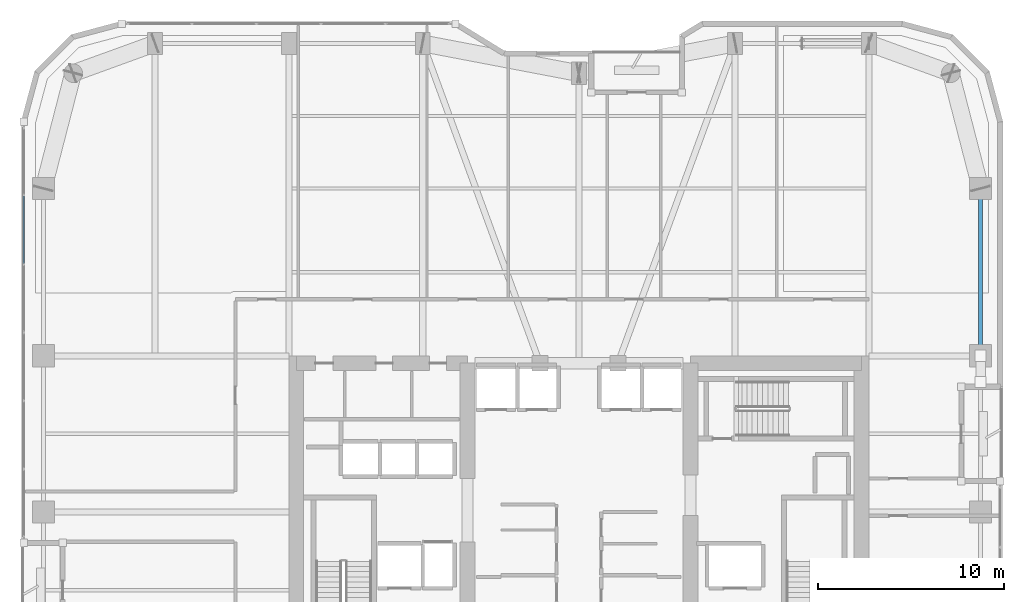
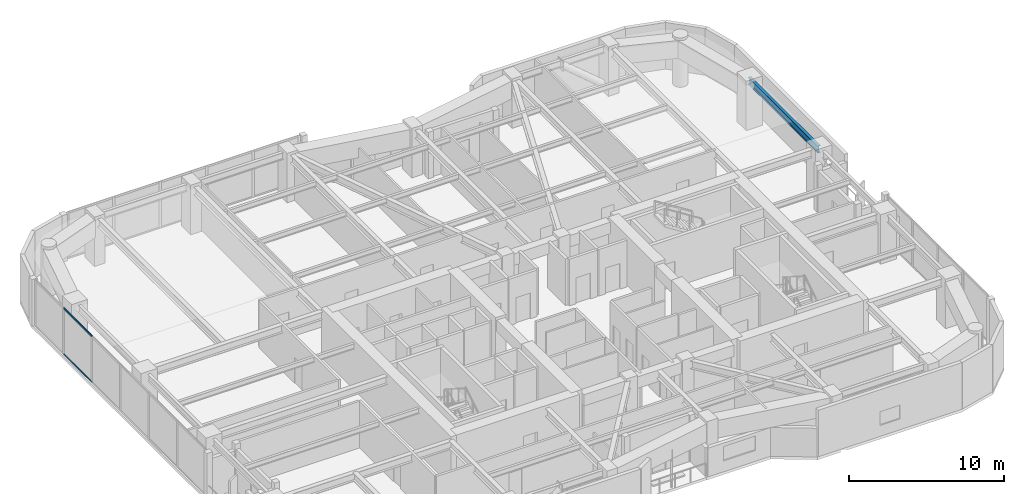
# One storey, part 12 of 30: 2 members, 1 beam, 1 element without a shape of its own.
"""IFC4 building model written with IfcOpenShell, lengths in metres."""

from ifc_helpers import new_model, si_unit, direction, frame, origin, origin_2d, place, context, subcontext, project, spatial, hollow_rectangle, i_section, extrude, material, layer, layer_set, material_profile, profile_set, type_object, element, aggregate, save


model = new_model("IFC4")

# Units and contexts
model_context = context("Model", 3, precision=1e-05, world=origin(), true_north=direction((0.0, 1.0)))
body_context = subcontext(model_context, "Body", "Model", "MODEL_VIEW")
ifc_project = project(units=[si_unit("LENGTHUNIT", "METRE"), si_unit("AREAUNIT", "SQUARE_METRE"), si_unit("VOLUMEUNIT", "CUBIC_METRE"), si_unit("PLANEANGLEUNIT", "RADIAN"), si_unit("MASSUNIT", "GRAM", prefix="KILO")], contexts=[model_context])

# Site, building, storey
site_placement = place(None, origin())
site = spatial("IfcSite", under=ifc_project, at=site_placement, CompositionType="ELEMENT")
building_placement = place(site_placement, origin())
building = spatial("IfcBuilding", under=site, at=building_placement, Name="Kiyonajd Concourse Tower", CompositionType="ELEMENT")
storey_placement = place(building_placement, frame((0.0, 0.0, 174.0)))
storey = spatial("IfcBuildingStorey", under=building, at=storey_placement, Name="L44", CompositionType="ELEMENT", Elevation=174.0)

# Beam
ifc_material_1 = material(Name="Steel ASTM A992 Grade 50", Category="steel")
ifc_material_profile_1 = material_profile(ifc_material_1, i_section(OverallWidth=0.214111328125, OverallDepth=0.549072265625, WebThickness=0.0146484375, FlangeThickness=0.023681640625, at=origin_2d()), Name="W530X138")
ifc_profile_set_1 = profile_set([ifc_material_profile_1], Name="Steel ASTM A992 Grade 50")
beam_type = type_object("IfcBeamType", Name="BM-SPAN-530A", PredefinedType="SPANDREL", material=ifc_profile_set_1)
beam_placement = place(storey_placement, frame((69.60009765625, 44.39990234375, 3.405517578125), z_axis=(0.0, 1.0, 0.0), x_axis=(-1.0, 0.0, 0.0)))
element("IfcBeam", 1, at=beam_placement, inside=storey, type_object=beam_type, Name="L44 Perimeter Bundled Tube Spandrel", PredefinedType="SPANDREL", context=body_context, shape_type="SweptSolid", body=[
    extrude(i_section(OverallWidth=0.214111328125, OverallDepth=0.549072265625, WebThickness=0.0146484375, FlangeThickness=0.023681640625, at=origin_2d()), origin(), (0.0, 0.0, 1.0), 9.0),
])

# Curtain wall, members
ifc_material_2 = material(Name="Thermally Broken Anodised Aluminium", Category="aluminium")
ifc_layer = layer(ifc_material_2, 0.179931640625)
ifc_layer_set = layer_set([ifc_layer], Name="Thermally Broken Anodised Aluminium")
curtain_wall_type = type_object("IfcCurtainWallType", Name="CW-SYS-03", PredefinedType="NOTDEFINED", material=ifc_layer_set)
curtain_wall_placement = place(storey_placement, origin())
curtain_wall = element("IfcCurtainWall", 2, at=curtain_wall_placement, inside=storey, type_object=curtain_wall_type, Name="L44 Unitised Curtain Wall CW3", PredefinedType="NOTDEFINED")
ifc_material_profile_2 = material_profile(ifc_material_2, hollow_rectangle(XDim=0.06494140625, YDim=0.139892578125, WallThickness=0.00390625, at=origin_2d()), Name="TRAN-65x140")
ifc_profile_set_2 = profile_set([ifc_material_profile_2], Name="Thermally Broken Anodised Aluminium")
member_type = type_object("IfcMemberType", Name="MB-CW-TRAN1", PredefinedType="USERDEFINED", material=ifc_profile_set_2)
member_1_placement = place(storey_placement, frame((18.139892578125, 49.3701171875, 0.032470703125), z_axis=(0.0, 1.0, 0.0), x_axis=(-1.0, 0.0, 0.0)))
member_1 = element("IfcMember", 3, at=member_1_placement, type_object=member_type, Name="CW3 transom 5.1", ObjectType="TRANSOM", PredefinedType="USERDEFINED", context=body_context, shape_type="SweptSolid", body=[
    extrude(hollow_rectangle(XDim=0.06494140625, YDim=0.139892578125, WallThickness=0.00390625, at=origin_2d()), origin(), (0.0, 0.0, 1.0), 3.612060546875),
])
member_2_placement = place(storey_placement, frame((18.139892578125, 49.3701171875, 3.6474609375), z_axis=(0.0, 1.0, 0.0), x_axis=(-1.0, 0.0, 0.0)))
member_2 = element("IfcMember", 4, at=member_2_placement, type_object=member_type, Name="CW3 transom 5.2", ObjectType="TRANSOM", PredefinedType="USERDEFINED", context=body_context, shape_type="SweptSolid", body=[
    extrude(hollow_rectangle(XDim=0.06494140625, YDim=0.139892578125, WallThickness=0.00390625, at=origin_2d()), origin(), (0.0, 0.0, 1.0), 3.612060546875),
])
aggregate(curtain_wall, [member_1, member_2])

save(model, "model.ifc")
